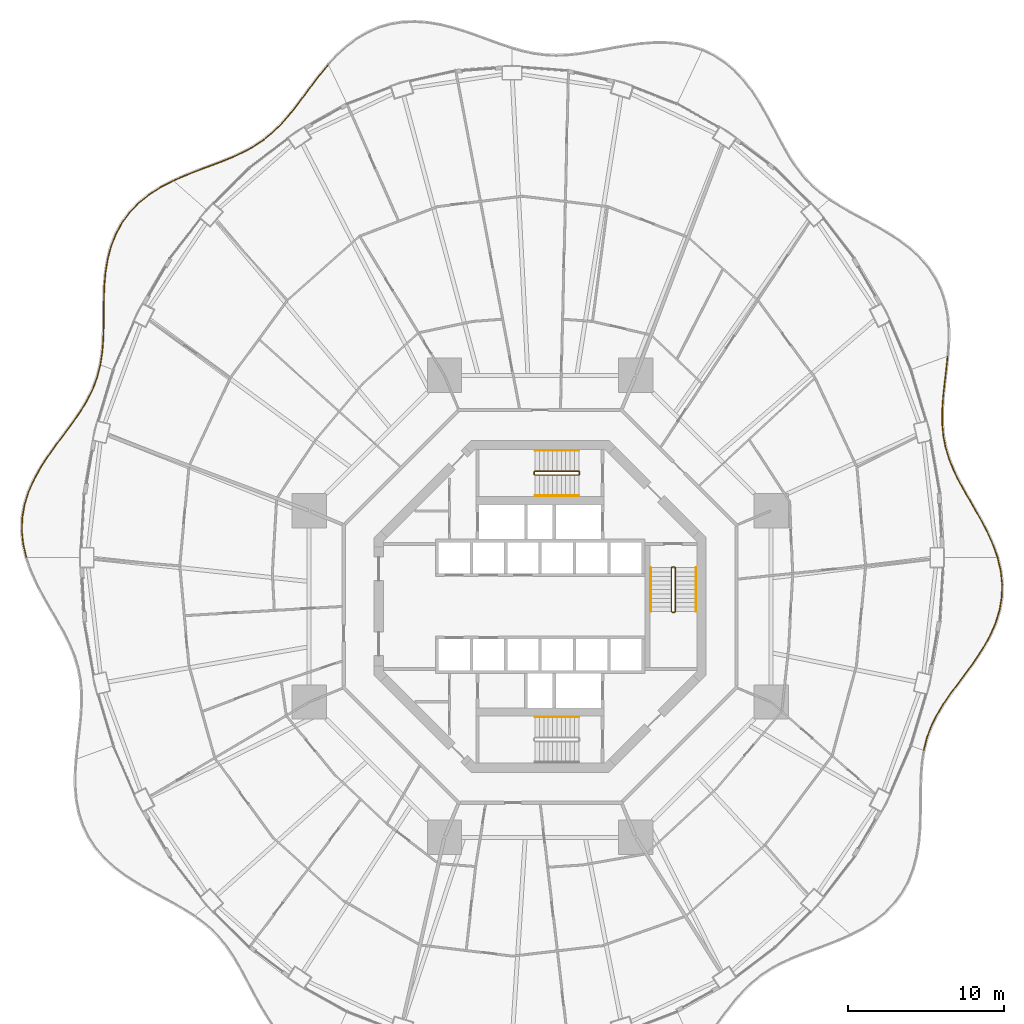
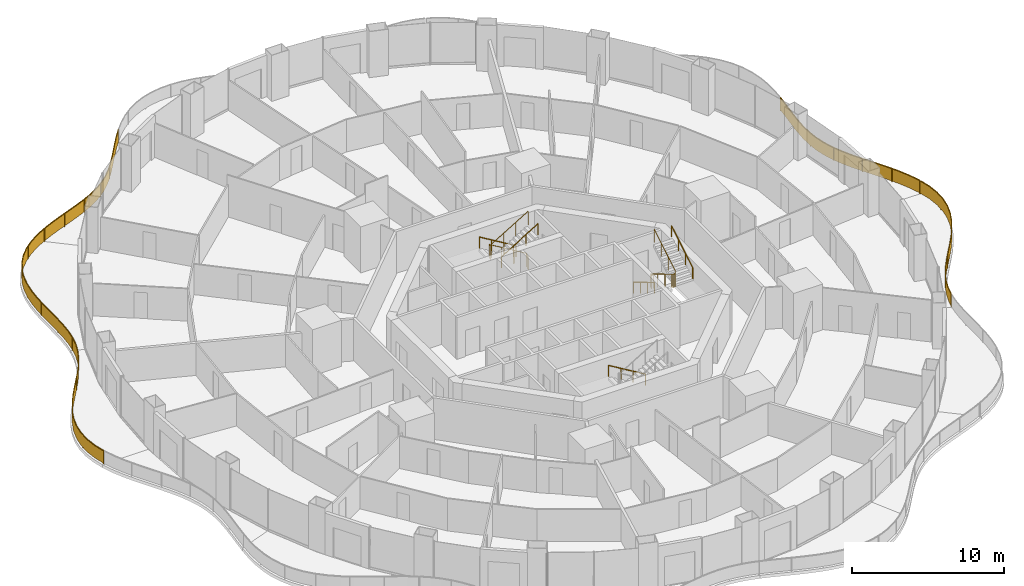
# One storey, part 22 of 23: 12 railings.
"""IFC4 building model written with IfcOpenShell, lengths in metres."""

from ifc_helpers import new_model, si_unit, direction, frame, origin, origin_2d, place, context, subcontext, project, spatial, polyline, rectangle, circle, outline, extrude, material, type_object, element, save


model = new_model("IFC4")

# Units and contexts
model_context = context("Model", 3, precision=1e-05, world=origin(), true_north=direction((0.0, 1.0)))
body_context = subcontext(model_context, "Body", "Model", "MODEL_VIEW")
ifc_project = project(units=[si_unit("LENGTHUNIT", "METRE"), si_unit("AREAUNIT", "SQUARE_METRE"), si_unit("VOLUMEUNIT", "CUBIC_METRE"), si_unit("PLANEANGLEUNIT", "RADIAN"), si_unit("MASSUNIT", "GRAM", prefix="KILO")], contexts=[model_context])

# Site, building, storey
site_placement = place(None, origin())
site = spatial("IfcSite", under=ifc_project, at=site_placement, CompositionType="ELEMENT")
building_placement = place(site_placement, origin())
building = spatial("IfcBuilding", under=site, at=building_placement, Name="Nagisa Residences", CompositionType="ELEMENT")
storey_placement = place(building_placement, frame((0.0, 0.0, 110.300048828125)))
storey = spatial("IfcBuildingStorey", under=building, at=storey_placement, Name="L27", CompositionType="ELEMENT", Elevation=110.300048828125)

# Railings
ifc_material_1 = material(Name="Stainless steel 316", Category="steel")
railing_type_1 = type_object("IfcRailingType", Name="BALCONY GUARD 1100", PredefinedType="BALUSTRADE", material=ifc_material_1)
railing_1_placement = place(storey_placement, frame((29.2607421875, 3.154052734375, 0.0)))
element("IfcRailing", 1, at=railing_1_placement, inside=storey, type_object=railing_type_1, Name="guard:L27:bal00-0", PredefinedType="BALUSTRADE", context=body_context, shape_type="SweptSolid", body=[
    extrude(outline(polyline([(-0.304443359375, 0.785400390625), (-0.023681640625, -0.00830078125), (0.023681640625, 0.00830078125), (-0.258056640625, 0.803955078125), (-0.629150390625, 1.62841796875), (-1.052001953125, 2.4345703125), (-1.50048828125, 3.22216796875), (-1.9482421875, 3.992919921875), (-2.368408203125, 4.73681640625), (-2.742919921875, 5.48681640625), (-3.052001953125, 6.23681640625), (-3.28466796875, 6.9931640625), (-3.436279296875, 7.763671875), (-3.505615234375, 8.541259765625), (-3.5068359375, 9.356689453125), (-3.4521484375, 10.198974609375), (-3.36083984375, 11.067138671875), (-3.255615234375, 11.956787109375), (-3.164306640625, 12.81640625), (-3.214111328125, 12.82177734375), (-3.305419921875, 11.962158203125), (-3.41064453125, 11.072509765625), (-3.501953125, 10.203369140625), (-3.55712890625, 9.358154296875), (-3.555419921875, 8.538818359375), (-3.486083984375, 7.7568359375), (-3.33349609375, 6.98095703125), (-3.099365234375, 6.2197265625), (-2.788330078125, 5.46630859375), (-2.412841796875, 4.71337890625), (-1.99169921875, 3.968017578125), (-1.5439453125, 3.197265625), (-1.095947265625, 2.41064453125), (-0.674072265625, 1.6064453125), (-0.304443359375, 0.785400390625)])), frame((0.0, 0.0, 1.050048828125)), (0.0, 0.0, 1.0), 0.050048828125),
    extrude(outline(polyline([(-0.287841796875, 0.7919921875), (-0.006591796875, -0.00244140625), (0.006591796875, 0.00244140625), (-0.274658203125, 0.79736328125), (-0.645263671875, 1.62060546875), (-1.06787109375, 2.426025390625), (-1.51611328125, 3.213134765625), (-1.9638671875, 3.98388671875), (-2.384521484375, 4.728271484375), (-2.75927734375, 5.4794921875), (-3.069091796875, 6.230712890625), (-3.30224609375, 6.98876953125), (-3.454345703125, 7.76123046875), (-3.5234375, 8.540283203125), (-3.52490234375, 9.357177734375), (-3.469970703125, 10.20068359375), (-3.37890625, 11.069091796875), (-3.273681640625, 11.958740234375), (-3.18212890625, 12.818359375), (-3.1962890625, 12.81982421875), (-3.287353515625, 11.960205078125), (-3.392578125, 11.070556640625), (-3.484130859375, 10.20166015625), (-3.5390625, 9.357666015625), (-3.53759765625, 8.539794921875), (-3.468017578125, 7.75927734375), (-3.31591796875, 6.9853515625), (-3.082275390625, 6.225830078125), (-2.77197265625, 5.4736328125), (-2.396728515625, 4.721923828125), (-1.97607421875, 3.97705078125), (-1.5283203125, 3.206298828125), (-1.080078125, 2.419189453125), (-0.657958984375, 1.6142578125), (-0.287841796875, 0.7919921875)])), frame((0.0, 0.0, 0.06005859375)), (0.0, 0.0, 1.0), 0.989990234375),
    extrude(rectangle(XDim=0.0400390625, YDim=0.0400390625, at=origin_2d()), origin(), (0.0, 0.0, 1.0), 1.050048828125),
    extrude(rectangle(XDim=0.0400390625, YDim=0.0400390625, at=origin_2d()), frame((-0.8955078125, 2.082275390625, 0.0)), (0.0, 0.0, 1.0), 1.050048828125),
    extrude(rectangle(XDim=0.0400390625, YDim=0.0400390625, at=origin_2d()), frame((-2.013671875, 4.057861328125, 0.0)), (0.0, 0.0, 1.0), 1.050048828125),
    extrude(rectangle(XDim=0.0400390625, YDim=0.0400390625, at=origin_2d()), frame((-3.018798828125, 6.09033203125, 0.0)), (0.0, 0.0, 1.0), 1.050048828125),
    extrude(rectangle(XDim=0.0400390625, YDim=0.0400390625, at=origin_2d()), frame((-3.509033203125, 8.297119140625, 0.0)), (0.0, 0.0, 1.0), 1.050048828125),
    extrude(rectangle(XDim=0.0400390625, YDim=0.0400390625, at=origin_2d()), frame((-3.43896484375, 10.562744140625, 0.0)), (0.0, 0.0, 1.0), 1.050048828125),
    extrude(rectangle(XDim=0.0400390625, YDim=0.0400390625, at=origin_2d()), frame((-3.189208984375, 12.819091796875, 0.0)), (0.0, 0.0, 1.0), 1.050048828125),
])
railing_2_placement = place(storey_placement, frame((-13.5732421875, 34.64453125, 0.0)))
element("IfcRailing", 2, at=railing_2_placement, inside=storey, type_object=railing_type_1, Name="guard:L27:bal05-0", PredefinedType="BALUSTRADE", context=body_context, shape_type="SweptSolid", body=[
    extrude(outline(polyline([(-0.49755859375, -0.640869140625), (0.019287109375, -0.015869140625), (-0.019287109375, 0.015869140625), (-0.53662109375, -0.609619140625), (-1.0556640625, -1.285400390625), (-1.55419921875, -1.95751953125), (-2.043212890625, -2.608642578125), (-2.535400390625, -3.224609375), (-3.02783203125, -3.78515625), (-3.56005859375, -4.30224609375), (-4.126708984375, -4.764404296875), (-4.734375, -5.173583984375), (-5.385498046875, -5.535888671875), (-6.068115234375, -5.850341796875), (-6.8017578125, -6.150634765625), (-7.565673828125, -6.439697265625), (-8.34912109375, -6.73291015625), (-9.137451171875, -7.044921875), (-9.87353515625, -7.36865234375), (-9.853515625, -7.41455078125), (-9.117919921875, -7.09130859375), (-8.3310546875, -6.77978515625), (-7.548095703125, -6.486572265625), (-6.783203125, -6.197021484375), (-6.048095703125, -5.896240234375), (-5.363037109375, -5.580322265625), (-4.7080078125, -5.216064453125), (-4.096923828125, -4.804443359375), (-3.52685546875, -4.33984375), (-2.99169921875, -3.81982421875), (-2.496826171875, -3.2568359375), (-2.003662109375, -2.639404296875), (-1.51416015625, -1.9873046875), (-1.015625, -1.315673828125), (-0.49755859375, -0.640869140625)])), frame((0.0, 0.0, 1.050048828125)), (0.0, 0.0, 1.0), 0.050048828125),
    extrude(outline(polyline([(-0.51171875, -0.629638671875), (0.00537109375, -0.00439453125), (-0.00537109375, 0.00439453125), (-0.5224609375, -0.620849609375), (-1.041259765625, -1.29638671875), (-1.539794921875, -1.96826171875), (-2.029052734375, -2.61962890625), (-2.521484375, -3.236328125), (-3.014892578125, -3.797607421875), (-3.548095703125, -4.31591796875), (-4.115966796875, -4.77880859375), (-4.724853515625, -5.18896484375), (-5.37744140625, -5.5517578125), (-6.060791015625, -5.866943359375), (-6.795166015625, -6.167236328125), (-7.559326171875, -6.45654296875), (-8.342529296875, -6.749755859375), (-9.13037109375, -7.061767578125), (-9.866455078125, -7.38525390625), (-9.860595703125, -7.39794921875), (-9.125, -7.074462890625), (-8.337646484375, -6.762939453125), (-7.554443359375, -6.4697265625), (-6.789794921875, -6.180419921875), (-6.055419921875, -5.879638671875), (-5.37109375, -5.564453125), (-4.717529296875, -5.20068359375), (-4.107666015625, -4.7900390625), (-3.538818359375, -4.326171875), (-3.004638671875, -3.807373046875), (-2.5107421875, -3.2451171875), (-2.017822265625, -2.62841796875), (-1.528564453125, -1.9765625), (-1.030029296875, -1.3046875), (-0.51171875, -0.629638671875)])), frame((0.0, 0.0, 0.06005859375)), (0.0, 0.0, 1.0), 0.989990234375),
    extrude(rectangle(XDim=0.0400390625, YDim=0.0400390625, at=origin_2d()), origin(), (0.0, 0.0, 1.0), 1.050048828125),
    extrude(rectangle(XDim=0.0400390625, YDim=0.0400390625, at=origin_2d()), frame((-1.30224609375, -1.659912109375, 0.0)), (0.0, 0.0, 1.0), 1.050048828125),
    extrude(rectangle(XDim=0.0400390625, YDim=0.0400390625, at=origin_2d()), frame((-2.59326171875, -3.32861328125, 0.0)), (0.0, 0.0, 1.0), 1.050048828125),
    extrude(rectangle(XDim=0.0400390625, YDim=0.0400390625, at=origin_2d()), frame((-4.113525390625, -4.78564453125, 0.0)), (0.0, 0.0, 1.0), 1.050048828125),
    extrude(rectangle(XDim=0.0400390625, YDim=0.0400390625, at=origin_2d()), frame((-5.94677734375, -5.822021484375, 0.0)), (0.0, 0.0, 1.0), 1.050048828125),
    extrude(rectangle(XDim=0.0400390625, YDim=0.0400390625, at=origin_2d()), frame((-7.909912109375, -6.59521484375, 0.0)), (0.0, 0.0, 1.0), 1.050048828125),
    extrude(rectangle(XDim=0.0400390625, YDim=0.0400390625, at=origin_2d()), frame((-9.863525390625, -7.3916015625, 0.0)), (0.0, 0.0, 1.0), 1.050048828125),
])
railing_3_placement = place(storey_placement, frame((-23.5068359375, 27.220703125, 0.0)))
element("IfcRailing", 3, at=railing_3_placement, inside=storey, type_object=railing_type_1, Name="guard:L27:bal06-0", PredefinedType="BALUSTRADE", context=body_context, shape_type="SweptSolid", body=[
    extrude(outline(polyline([(-0.73291015625, -0.407470703125), (0.011474609375, -0.022216796875), (-0.011474609375, 0.022216796875), (-0.7578125, -0.364013671875), (-1.495849609375, -0.833740234375), (-2.16796875, -1.370361328125), (-2.759765625, -1.9765625), (-3.2607421875, -2.650146484375), (-3.6591796875, -3.3759765625), (-3.9697265625, -4.167724609375), (-4.189697265625, -5.002685546875), (-4.3310546875, -5.86767578125), (-4.408203125, -6.749755859375), (-4.43359375, -7.62255859375), (-4.442138671875, -8.5), (-4.44873046875, -9.359619140625), (-4.47509765625, -10.193603515625), (-4.540771484375, -10.99755859375), (-4.654541015625, -11.7294921875), (-4.605224609375, -11.7373046875), (-4.490966796875, -11.00341796875), (-4.42529296875, -10.196533203125), (-4.39892578125, -9.360595703125), (-4.392333984375, -8.50048828125), (-4.3837890625, -7.62353515625), (-4.3583984375, -6.752685546875), (-4.28125, -5.8740234375), (-4.140869140625, -5.012939453125), (-3.921875, -4.183349609375), (-3.61376953125, -3.3974609375), (-3.21875, -2.677490234375), (-2.7216796875, -2.00927734375), (-2.13427734375, -1.407470703125), (-1.466552734375, -0.874755859375), (-0.73291015625, -0.407470703125)])), frame((0.0, 0.0, 1.050048828125)), (0.0, 0.0, 1.0), 0.050048828125),
    extrude(outline(polyline([(-0.741943359375, -0.391845703125), (0.003173828125, -0.006103515625), (-0.003173828125, 0.006103515625), (-0.748779296875, -0.379638671875), (-1.4853515625, -0.8486328125), (-2.15576171875, -1.3837890625), (-2.74609375, -1.98828125), (-3.24560546875, -2.659912109375), (-3.642822265625, -3.3837890625), (-3.952392578125, -4.17333984375), (-4.172119140625, -5.00634765625), (-4.31298828125, -5.869873046875), (-4.390380859375, -6.750732421875), (-4.415771484375, -7.622802734375), (-4.42431640625, -8.500244140625), (-4.430908203125, -9.35986328125), (-4.457275390625, -10.194580078125), (-4.522705078125, -10.999755859375), (-4.63671875, -11.732421875), (-4.623046875, -11.734375), (-4.509033203125, -11.001220703125), (-4.443115234375, -10.195556640625), (-4.416748046875, -9.3603515625), (-4.41015625, -8.500244140625), (-4.401611328125, -7.623291015625), (-4.376220703125, -6.751708984375), (-4.29931640625, -5.871826171875), (-4.158447265625, -5.00927734375), (-3.939208984375, -4.177734375), (-3.630126953125, -3.3896484375), (-3.23388671875, -2.667724609375), (-2.7353515625, -1.99755859375), (-2.146484375, -1.39404296875), (-1.47705078125, -0.85986328125), (-0.741943359375, -0.391845703125)])), frame((0.0, 0.0, 0.06005859375)), (0.0, 0.0, 1.0), 0.989990234375),
    extrude(rectangle(XDim=0.0400390625, YDim=0.0400390625, at=origin_2d()), origin(), (0.0, 0.0, 1.0), 1.050048828125),
    extrude(rectangle(XDim=0.0400390625, YDim=0.0400390625, at=origin_2d()), frame((-1.906494140625, -1.193603515625, 0.0)), (0.0, 0.0, 1.0), 1.050048828125),
    extrude(rectangle(XDim=0.0400390625, YDim=0.0400390625, at=origin_2d()), frame((-3.365966796875, -2.89404296875, 0.0)), (0.0, 0.0, 1.0), 1.050048828125),
    extrude(rectangle(XDim=0.0400390625, YDim=0.0400390625, at=origin_2d()), frame((-4.16162109375, -4.993896484375, 0.0)), (0.0, 0.0, 1.0), 1.050048828125),
    extrude(rectangle(XDim=0.0400390625, YDim=0.0400390625, at=origin_2d()), frame((-4.3974609375, -7.234130859375, 0.0)), (0.0, 0.0, 1.0), 1.050048828125),
    extrude(rectangle(XDim=0.0400390625, YDim=0.0400390625, at=origin_2d()), frame((-4.427978515625, -9.489501953125, 0.0)), (0.0, 0.0, 1.0), 1.050048828125),
    extrude(rectangle(XDim=0.0400390625, YDim=0.0400390625, at=origin_2d()), frame((-4.6298828125, -11.7333984375, 0.0)), (0.0, 0.0, 1.0), 1.050048828125),
])
railing_4_placement = place(storey_placement, frame((-28.149169921875, 15.418701171875, 0.0)))
element("IfcRailing", 4, at=railing_4_placement, inside=storey, type_object=railing_type_1, Name="guard:L27:bal07-0", PredefinedType="BALUSTRADE", context=body_context, shape_type="SweptSolid", body=[
    extrude(outline(polyline([(-0.16064453125, -0.734619140625), (0.024169921875, -0.006103515625), (-0.024169921875, 0.006103515625), (-0.20849609375, -0.719970703125), (-0.48046875, -1.457763671875), (-0.830322265625, -2.175048828125), (-1.251708984375, -2.880126953125), (-1.73193359375, -3.58154296875), (-2.249267578125, -4.274658203125), (-2.7880859375, -4.994384765625), (-3.319091796875, -5.73291015625), (-3.816650390625, -6.494384765625), (-4.25537109375, -7.2802734375), (-4.611083984375, -8.076416015625), (-4.868896484375, -8.90673828125), (-5.013916015625, -9.75244140625), (-5.040771484375, -10.607177734375), (-4.94970703125, -11.463623046875), (-4.758544921875, -12.269287109375), (-4.709716796875, -12.257568359375), (-4.900390625, -11.455322265625), (-4.990478515625, -10.605224609375), (-4.964111328125, -9.75732421875), (-4.820068359375, -8.91845703125), (-4.564208984375, -8.093994140625), (-4.21044921875, -7.302734375), (-3.773681640625, -6.520263671875), (-3.277587890625, -5.76123046875), (-2.74755859375, -5.024169921875), (-2.209228515625, -4.304443359375), (-1.69140625, -3.61083984375), (-1.209716796875, -2.906982421875), (-0.786376953125, -2.198974609375), (-0.4345703125, -1.477294921875), (-0.16064453125, -0.734619140625)])), frame((0.0, 0.0, 1.050048828125)), (0.0, 0.0, 1.0), 0.050048828125),
    extrude(outline(polyline([(-0.177978515625, -0.7294921875), (0.0068359375, -0.001708984375), (-0.0068359375, 0.001708984375), (-0.191162109375, -0.72509765625), (-0.4638671875, -1.46484375), (-0.814453125, -2.18359375), (-1.236572265625, -2.889892578125), (-1.71728515625, -3.592041015625), (-2.23486328125, -4.285400390625), (-2.7734375, -5.005126953125), (-3.30419921875, -5.7431640625), (-3.80126953125, -6.503662109375), (-4.2392578125, -7.288330078125), (-4.59423828125, -8.082763671875), (-4.851318359375, -8.910888671875), (-4.99609375, -9.754150390625), (-5.022705078125, -10.6064453125), (-4.931884765625, -11.460693359375), (-4.740966796875, -12.26513671875), (-4.727294921875, -12.26171875), (-4.918212890625, -11.458251953125), (-5.008544921875, -10.60595703125), (-4.98193359375, -9.755615234375), (-4.837646484375, -8.914306640625), (-4.5810546875, -8.087646484375), (-4.2265625, -7.294677734375), (-3.7890625, -6.510986328125), (-3.29248046875, -5.7509765625), (-2.76220703125, -5.013427734375), (-2.2236328125, -4.293701171875), (-1.7060546875, -3.600341796875), (-1.224853515625, -2.897216796875), (-0.80224609375, -2.1904296875), (-0.451171875, -1.47021484375), (-0.177978515625, -0.7294921875)])), frame((0.0, 0.0, 0.06005859375)), (0.0, 0.0, 1.0), 0.989990234375),
    extrude(rectangle(XDim=0.0400390625, YDim=0.0400390625, at=origin_2d()), origin(), (0.0, 0.0, 1.0), 1.050048828125),
    extrude(rectangle(XDim=0.0400390625, YDim=0.0400390625, at=origin_2d()), frame((-0.77783203125, -2.124267578125, 0.0)), (0.0, 0.0, 1.0), 1.050048828125),
    extrude(rectangle(XDim=0.0400390625, YDim=0.0400390625, at=origin_2d()), frame((-2.026123046875, -4.017333984375, 0.0)), (0.0, 0.0, 1.0), 1.050048828125),
    extrude(rectangle(XDim=0.0400390625, YDim=0.0400390625, at=origin_2d()), frame((-3.365478515625, -5.849853515625, 0.0)), (0.0, 0.0, 1.0), 1.050048828125),
    extrude(rectangle(XDim=0.0400390625, YDim=0.0400390625, at=origin_2d()), frame((-4.47216796875, -7.826904296875, 0.0)), (0.0, 0.0, 1.0), 1.050048828125),
    extrude(rectangle(XDim=0.0400390625, YDim=0.0400390625, at=origin_2d()), frame((-4.997314453125, -10.020751953125, 0.0)), (0.0, 0.0, 1.0), 1.050048828125),
    extrude(rectangle(XDim=0.0400390625, YDim=0.0400390625, at=origin_2d()), frame((-4.734130859375, -12.263427734375, 0.0)), (0.0, 0.0, 1.0), 1.050048828125),
])
railing_5_placement = place(storey_placement, frame((24.54931640625, -9.183349609375, 0.0)))
element("IfcRailing", 5, at=railing_5_placement, inside=storey, type_object=railing_type_1, Name="guard:L27:bal15-0", PredefinedType="BALUSTRADE", context=body_context, shape_type="SweptSolid", body=[
    extrude(outline(polyline([(0.16064453125, 0.734619140625), (-0.024169921875, 0.006103515625), (0.024169921875, -0.006103515625), (0.20849609375, 0.719970703125), (0.480224609375, 1.457763671875), (0.830322265625, 2.175048828125), (1.251708984375, 2.880126953125), (1.731689453125, 3.58154296875), (2.249267578125, 4.27490234375), (2.787841796875, 4.994384765625), (3.319091796875, 5.73291015625), (3.816650390625, 6.494384765625), (4.25537109375, 7.280517578125), (4.611083984375, 8.076416015625), (4.86865234375, 8.90673828125), (5.013671875, 9.75244140625), (5.04052734375, 10.607177734375), (4.949462890625, 11.463623046875), (4.75830078125, 12.269287109375), (4.70947265625, 12.257568359375), (4.900146484375, 11.455322265625), (4.990234375, 10.605224609375), (4.9638671875, 9.75732421875), (4.81982421875, 8.91845703125), (4.564208984375, 8.093994140625), (4.21044921875, 7.302978515625), (3.773681640625, 6.520263671875), (3.277587890625, 5.76123046875), (2.747314453125, 5.024169921875), (2.209228515625, 4.3046875), (1.691162109375, 3.61083984375), (1.209716796875, 2.906982421875), (0.786376953125, 2.198974609375), (0.434326171875, 1.477294921875), (0.16064453125, 0.734619140625)])), frame((0.0, 0.0, 1.050048828125)), (0.0, 0.0, 1.0), 0.050048828125),
    extrude(outline(polyline([(0.177978515625, 0.7294921875), (-0.0068359375, 0.001708984375), (0.0068359375, -0.001708984375), (0.191162109375, 0.72509765625), (0.463623046875, 1.46484375), (0.814453125, 2.18359375), (1.236572265625, 2.889892578125), (1.717041015625, 3.592041015625), (2.23486328125, 4.28564453125), (2.773193359375, 5.005126953125), (3.30419921875, 5.7431640625), (3.80126953125, 6.503662109375), (4.2392578125, 7.28857421875), (4.59423828125, 8.082763671875), (4.85107421875, 8.910888671875), (4.995849609375, 9.754150390625), (5.0224609375, 10.6064453125), (4.931640625, 11.460693359375), (4.74072265625, 12.26513671875), (4.72705078125, 12.26171875), (4.91796875, 11.458251953125), (5.00830078125, 10.60595703125), (4.981689453125, 9.755615234375), (4.83740234375, 8.914306640625), (4.5810546875, 8.087646484375), (4.2265625, 7.294921875), (3.7890625, 6.510986328125), (3.29248046875, 5.7509765625), (2.761962890625, 5.013427734375), (2.2236328125, 4.2939453125), (1.705810546875, 3.600341796875), (1.224853515625, 2.897216796875), (0.80224609375, 2.1904296875), (0.450927734375, 1.47021484375), (0.177978515625, 0.7294921875)])), frame((0.0, 0.0, 0.06005859375)), (0.0, 0.0, 1.0), 0.989990234375),
    extrude(rectangle(XDim=0.0400390625, YDim=0.0400390625, at=origin_2d()), origin(), (0.0, 0.0, 1.0), 1.050048828125),
    extrude(rectangle(XDim=0.0400390625, YDim=0.0400390625, at=origin_2d()), frame((0.77783203125, 2.124267578125, 0.0)), (0.0, 0.0, 1.0), 1.050048828125),
    extrude(rectangle(XDim=0.0400390625, YDim=0.0400390625, at=origin_2d()), frame((2.02587890625, 4.017333984375, 0.0)), (0.0, 0.0, 1.0), 1.050048828125),
    extrude(rectangle(XDim=0.0400390625, YDim=0.0400390625, at=origin_2d()), frame((3.365478515625, 5.849853515625, 0.0)), (0.0, 0.0, 1.0), 1.050048828125),
    extrude(rectangle(XDim=0.0400390625, YDim=0.0400390625, at=origin_2d()), frame((4.47216796875, 7.826904296875, 0.0)), (0.0, 0.0, 1.0), 1.050048828125),
    extrude(rectangle(XDim=0.0400390625, YDim=0.0400390625, at=origin_2d()), frame((4.9970703125, 10.02099609375, 0.0)), (0.0, 0.0, 1.0), 1.050048828125),
    extrude(rectangle(XDim=0.0400390625, YDim=0.0400390625, at=origin_2d()), frame((4.73388671875, 12.263427734375, 0.0)), (0.0, 0.0, 1.0), 1.050048828125),
])
ifc_material_2 = material(Name="Stainless steel", Category="steel")
railing_type_2 = type_object("IfcRailingType", Name="Stair guard 1100", PredefinedType="GUARDRAIL", material=ifc_material_2)
railing_6_placement = place(storey_placement, frame((8.599609375, 2.52490234375, 0.0)))
element("IfcRailing", 6, at=railing_6_placement, inside=storey, type_object=railing_type_2, Name="L27 ST-E stair guard 1", PredefinedType="GUARDRAIL", context=body_context, shape_type="SweptSolid", body=[
    extrude(circle(Radius=0.02392578125, at=origin_2d()), frame((0.0, 0.0, 1.076171875), z_axis=(-1.0, 0.0, 0.0), x_axis=(0.0, -1.0, 0.0)), (0.0, 0.0, 1.0), 0.14990234375),
    extrude(circle(Radius=0.02392578125, at=origin_2d()), frame((-0.14990234375, 0.0, 1.076171875), z_axis=(-0.27434429532, -0.273006030465, 0.922064485248), x_axis=(0.705375805398, -0.708833529934, 0.0)), (0.0, 0.0, 1.0), 0.182373046875),
    extrude(circle(Radius=0.02392578125, at=origin_2d()), frame((-0.199951171875, -0.0498046875, 1.244140625), z_axis=(0.0, -0.857275202839, 0.514858452973), x_axis=(1.0, 0.0, 0.0)), (0.0, 0.0, 1.0), 3.26611328125),
    extrude(circle(Radius=0.02392578125, at=origin_2d()), frame((-0.199951171875, -2.849853515625, 2.92578125), z_axis=(0.707106781187, -0.707106781187, 0.0), x_axis=(0.707106781187, 0.707106781187, 0.0)), (0.0, 0.0, 1.0), 0.07080078125),
    extrude(circle(Radius=0.02392578125, at=origin_2d()), frame((-0.14990234375, -2.89990234375, 2.92578125), z_axis=(1.0, 0.0, 0.0), x_axis=(0.0, 1.0, 0.0)), (0.0, 0.0, 1.0), 0.14990234375),
    extrude(circle(Radius=0.02392578125, at=origin_2d()), frame((0.0, -2.89990234375, 2.92578125), z_axis=(0.274243871929, 0.274243871929, 0.92172696468), x_axis=(-0.707106781187, 0.707106781187, 0.0)), (0.0, 0.0, 1.0), 0.1826171875),
    extrude(circle(Radius=0.02392578125, at=origin_2d()), frame((0.050048828125, -2.849853515625, 3.09423828125), z_axis=(0.0, 0.857242210791, 0.514913383045), x_axis=(-1.0, 0.0, 0.0)), (0.0, 0.0, 1.0), 3.266357421875),
    extrude(circle(Radius=0.02099609375, at=origin_2d()), origin(), (0.0, 0.0, 1.0), 1.052001953125),
    extrude(circle(Radius=0.02099609375, at=origin_2d()), frame((-0.14990234375, 0.0, 0.0)), (0.0, 0.0, 1.0), 1.052001953125),
    extrude(circle(Radius=0.02099609375, at=origin_2d()), frame((-0.199951171875, -0.0498046875, 0.168212890625)), (0.0, 0.0, 1.0), 1.052001953125),
    extrude(circle(Radius=0.02099609375, at=origin_2d()), frame((-0.199951171875, -0.983154296875, 0.728759765625)), (0.0, 0.0, 1.0), 1.052001953125),
    extrude(circle(Radius=0.02099609375, at=origin_2d()), frame((-0.199951171875, -1.91650390625, 1.289306640625)), (0.0, 0.0, 1.0), 1.052001953125),
    extrude(circle(Radius=0.02099609375, at=origin_2d()), frame((-0.199951171875, -2.849853515625, 1.849853515625)), (0.0, 0.0, 1.0), 1.052001953125),
    extrude(circle(Radius=0.02099609375, at=origin_2d()), frame((-0.14990234375, -2.89990234375, 1.849853515625)), (0.0, 0.0, 1.0), 1.052001953125),
    extrude(circle(Radius=0.02099609375, at=origin_2d()), frame((0.0, -2.89990234375, 1.849853515625)), (0.0, 0.0, 1.0), 1.052001953125),
    extrude(circle(Radius=0.02099609375, at=origin_2d()), frame((0.050048828125, -2.849853515625, 2.01806640625)), (0.0, 0.0, 1.0), 1.052001953125),
    extrude(circle(Radius=0.02099609375, at=origin_2d()), frame((0.050048828125, -1.91650390625, 2.57861328125)), (0.0, 0.0, 1.0), 1.052001953125),
    extrude(circle(Radius=0.02099609375, at=origin_2d()), frame((0.050048828125, -0.983154296875, 3.139404296875)), (0.0, 0.0, 1.0), 1.052001953125),
    extrude(circle(Radius=0.02099609375, at=origin_2d()), frame((0.050048828125, -0.0498046875, 3.699951171875)), (0.0, 0.0, 1.0), 1.052001953125),
])
railing_7_placement = place(storey_placement, frame((2.52490234375, 8.44970703125, 0.0)))
element("IfcRailing", 7, at=railing_7_placement, inside=storey, type_object=railing_type_2, Name="L27 ST-N stair guard 1", PredefinedType="GUARDRAIL", context=body_context, shape_type="SweptSolid", body=[
    extrude(circle(Radius=0.02392578125, at=origin_2d()), frame((0.0, 0.0, 1.076171875), z_axis=(0.0, 1.0, 0.0), x_axis=(-1.0, 0.0, 0.0)), (0.0, 0.0, 1.0), 0.14990234375),
    extrude(circle(Radius=0.02392578125, at=origin_2d()), frame((0.0, 0.14990234375, 1.076171875), z_axis=(-0.273006030465, 0.27434429532, 0.922064485248), x_axis=(-0.708833529934, -0.705375805398, 0.0)), (0.0, 0.0, 1.0), 0.182373046875),
    extrude(circle(Radius=0.02392578125, at=origin_2d()), frame((-0.0498046875, 0.199951171875, 1.244140625), z_axis=(-0.857275202839, 0.0, 0.514858452973), x_axis=(0.0, -1.0, 0.0)), (0.0, 0.0, 1.0), 3.26611328125),
    extrude(circle(Radius=0.02392578125, at=origin_2d()), frame((-2.849853515625, 0.199951171875, 2.92578125), z_axis=(-0.707106781187, -0.707106781187, 0.0), x_axis=(0.707106781187, -0.707106781187, 0.0)), (0.0, 0.0, 1.0), 0.07080078125),
    extrude(circle(Radius=0.02392578125, at=origin_2d()), frame((-2.89990234375, 0.14990234375, 2.92578125), z_axis=(0.0, -1.0, 0.0), x_axis=(1.0, 0.0, 0.0)), (0.0, 0.0, 1.0), 0.14990234375),
    extrude(circle(Radius=0.02392578125, at=origin_2d()), frame((-2.89990234375, 0.0, 2.92578125), z_axis=(0.274243871929, -0.274243871929, 0.92172696468), x_axis=(0.707106781187, 0.707106781187, 0.0)), (0.0, 0.0, 1.0), 0.1826171875),
    extrude(circle(Radius=0.02392578125, at=origin_2d()), frame((-2.849853515625, -0.050048828125, 3.09423828125), z_axis=(0.857242210791, 0.0, 0.514913383045), x_axis=(0.0, 1.0, 0.0)), (0.0, 0.0, 1.0), 3.266357421875),
    extrude(circle(Radius=0.02099609375, at=origin_2d()), origin(), (0.0, 0.0, 1.0), 1.052001953125),
    extrude(circle(Radius=0.02099609375, at=origin_2d()), frame((0.0, 0.14990234375, 0.0)), (0.0, 0.0, 1.0), 1.052001953125),
    extrude(circle(Radius=0.02099609375, at=origin_2d()), frame((-0.0498046875, 0.199951171875, 0.168212890625)), (0.0, 0.0, 1.0), 1.052001953125),
    extrude(circle(Radius=0.02099609375, at=origin_2d()), frame((-0.983154296875, 0.199951171875, 0.728759765625)), (0.0, 0.0, 1.0), 1.052001953125),
    extrude(circle(Radius=0.02099609375, at=origin_2d()), frame((-1.91650390625, 0.199951171875, 1.289306640625)), (0.0, 0.0, 1.0), 1.052001953125),
    extrude(circle(Radius=0.02099609375, at=origin_2d()), frame((-2.849853515625, 0.199951171875, 1.849853515625)), (0.0, 0.0, 1.0), 1.052001953125),
    extrude(circle(Radius=0.02099609375, at=origin_2d()), frame((-2.89990234375, 0.14990234375, 1.849853515625)), (0.0, 0.0, 1.0), 1.052001953125),
    extrude(circle(Radius=0.02099609375, at=origin_2d()), frame((-2.89990234375, 0.0, 1.849853515625)), (0.0, 0.0, 1.0), 1.052001953125),
    extrude(circle(Radius=0.02099609375, at=origin_2d()), frame((-2.849853515625, -0.050048828125, 2.01806640625)), (0.0, 0.0, 1.0), 1.052001953125),
    extrude(circle(Radius=0.02099609375, at=origin_2d()), frame((-1.91650390625, -0.050048828125, 2.57861328125)), (0.0, 0.0, 1.0), 1.052001953125),
    extrude(circle(Radius=0.02099609375, at=origin_2d()), frame((-0.983154296875, -0.050048828125, 3.139404296875)), (0.0, 0.0, 1.0), 1.052001953125),
    extrude(circle(Radius=0.02099609375, at=origin_2d()), frame((-0.0498046875, -0.050048828125, 3.699951171875)), (0.0, 0.0, 1.0), 1.052001953125),
])
ifc_material_3 = material(Name="Stainless steel", Category="steel")
railing_type_3 = type_object("IfcRailingType", Name="Stair handrail 900", PredefinedType="HANDRAIL", material=ifc_material_3)
railing_8_placement = place(storey_placement, frame((7.07470703125, 2.47509765625, 0.168212890625)))
element("IfcRailing", 8, at=railing_8_placement, inside=storey, type_object=railing_type_3, Name="L27 ST-E stair handrail 1", PredefinedType="HANDRAIL", context=body_context, shape_type="SweptSolid", body=[
    extrude(circle(Radius=0.02392578125, at=origin_2d()), frame((0.0, 0.0, 0.8759765625), z_axis=(0.0, -0.857275202839, 0.514858452973), x_axis=(1.0, 0.0, 0.0)), (0.0, 0.0, 1.0), 3.26611328125),
    extrude(circle(Radius=0.02099609375, at=origin_2d()), origin(), (0.0, 0.0, 1.0), 0.851806640625),
    extrude(circle(Radius=0.02099609375, at=origin_2d()), frame((0.0, -0.933349609375, 0.560546875)), (0.0, 0.0, 1.0), 0.851806640625),
    extrude(circle(Radius=0.02099609375, at=origin_2d()), frame((0.0, -1.86669921875, 1.12109375)), (0.0, 0.0, 1.0), 0.851806640625),
    extrude(circle(Radius=0.02099609375, at=origin_2d()), frame((0.0, -2.800048828125, 1.681640625)), (0.0, 0.0, 1.0), 0.851806640625),
])
railing_9_placement = place(storey_placement, frame((9.974609375, -0.324951171875, 2.01806640625)))
element("IfcRailing", 9, at=railing_9_placement, inside=storey, type_object=railing_type_3, Name="L27 ST-E stair handrail 2", PredefinedType="HANDRAIL", context=body_context, shape_type="SweptSolid", body=[
    extrude(circle(Radius=0.02392578125, at=origin_2d()), frame((0.0, 0.0, 0.8759765625), z_axis=(0.0, 0.857242210791, 0.514913383045), x_axis=(-1.0, 0.0, 0.0)), (0.0, 0.0, 1.0), 3.266357421875),
    extrude(circle(Radius=0.02099609375, at=origin_2d()), origin(), (0.0, 0.0, 1.0), 0.851806640625),
    extrude(circle(Radius=0.02099609375, at=origin_2d()), frame((0.0, 0.933349609375, 0.560546875)), (0.0, 0.0, 1.0), 0.851806640625),
    extrude(circle(Radius=0.02099609375, at=origin_2d()), frame((0.0, 1.86669921875, 1.121337890625)), (0.0, 0.0, 1.0), 0.851806640625),
    extrude(circle(Radius=0.02099609375, at=origin_2d()), frame((0.0, 2.800048828125, 1.681884765625)), (0.0, 0.0, 1.0), 0.851806640625),
])
railing_10_placement = place(storey_placement, frame((2.47509765625, 9.974609375, 0.168212890625)))
element("IfcRailing", 10, at=railing_10_placement, inside=storey, type_object=railing_type_3, Name="L27 ST-N stair handrail 1", PredefinedType="HANDRAIL", context=body_context, shape_type="SweptSolid", body=[
    extrude(circle(Radius=0.02392578125, at=origin_2d()), frame((0.0, 0.0, 0.8759765625), z_axis=(-0.857275202839, 0.0, 0.514858452973), x_axis=(0.0, -1.0, 0.0)), (0.0, 0.0, 1.0), 3.26611328125),
    extrude(circle(Radius=0.02099609375, at=origin_2d()), origin(), (0.0, 0.0, 1.0), 0.851806640625),
    extrude(circle(Radius=0.02099609375, at=origin_2d()), frame((-0.933349609375, 0.0, 0.560546875)), (0.0, 0.0, 1.0), 0.851806640625),
    extrude(circle(Radius=0.02099609375, at=origin_2d()), frame((-1.86669921875, 0.0, 1.12109375)), (0.0, 0.0, 1.0), 0.851806640625),
    extrude(circle(Radius=0.02099609375, at=origin_2d()), frame((-2.800048828125, 0.0, 1.681640625)), (0.0, 0.0, 1.0), 0.851806640625),
])
railing_11_placement = place(storey_placement, frame((-0.324951171875, 7.07470703125, 2.01806640625)))
element("IfcRailing", 11, at=railing_11_placement, inside=storey, type_object=railing_type_3, Name="L27 ST-N stair handrail 2", PredefinedType="HANDRAIL", context=body_context, shape_type="SweptSolid", body=[
    extrude(circle(Radius=0.02392578125, at=origin_2d()), frame((0.0, 0.0, 0.8759765625), z_axis=(0.857242210791, 0.0, 0.514913383045), x_axis=(0.0, 1.0, 0.0)), (0.0, 0.0, 1.0), 3.266357421875),
    extrude(circle(Radius=0.02099609375, at=origin_2d()), origin(), (0.0, 0.0, 1.0), 0.851806640625),
    extrude(circle(Radius=0.02099609375, at=origin_2d()), frame((0.933349609375, 0.0, 0.560546875)), (0.0, 0.0, 1.0), 0.851806640625),
    extrude(circle(Radius=0.02099609375, at=origin_2d()), frame((1.86669921875, 0.0, 1.121337890625)), (0.0, 0.0, 1.0), 0.851806640625),
    extrude(circle(Radius=0.02099609375, at=origin_2d()), frame((2.800048828125, 0.0, 1.681884765625)), (0.0, 0.0, 1.0), 0.851806640625),
])
railing_12_placement = place(storey_placement, frame((2.47509765625, -7.07470703125, 0.168212890625)))
element("IfcRailing", 12, at=railing_12_placement, inside=storey, type_object=railing_type_3, Name="L27 ST-S stair handrail 1", PredefinedType="HANDRAIL", context=body_context, shape_type="SweptSolid", body=[
    extrude(circle(Radius=0.02392578125, at=origin_2d()), frame((0.0, 0.0, 0.8759765625), z_axis=(-0.857275202839, 0.0, 0.514858452973), x_axis=(0.0, -1.0, 0.0)), (0.0, 0.0, 1.0), 3.26611328125),
    extrude(circle(Radius=0.02099609375, at=origin_2d()), origin(), (0.0, 0.0, 1.0), 0.851806640625),
    extrude(circle(Radius=0.02099609375, at=origin_2d()), frame((-0.933349609375, 0.0, 0.560546875)), (0.0, 0.0, 1.0), 0.851806640625),
    extrude(circle(Radius=0.02099609375, at=origin_2d()), frame((-1.86669921875, 0.0, 1.12109375)), (0.0, 0.0, 1.0), 0.851806640625),
    extrude(circle(Radius=0.02099609375, at=origin_2d()), frame((-2.800048828125, 0.0, 1.681640625)), (0.0, 0.0, 1.0), 0.851806640625),
])

save(model, "model.ifc")
